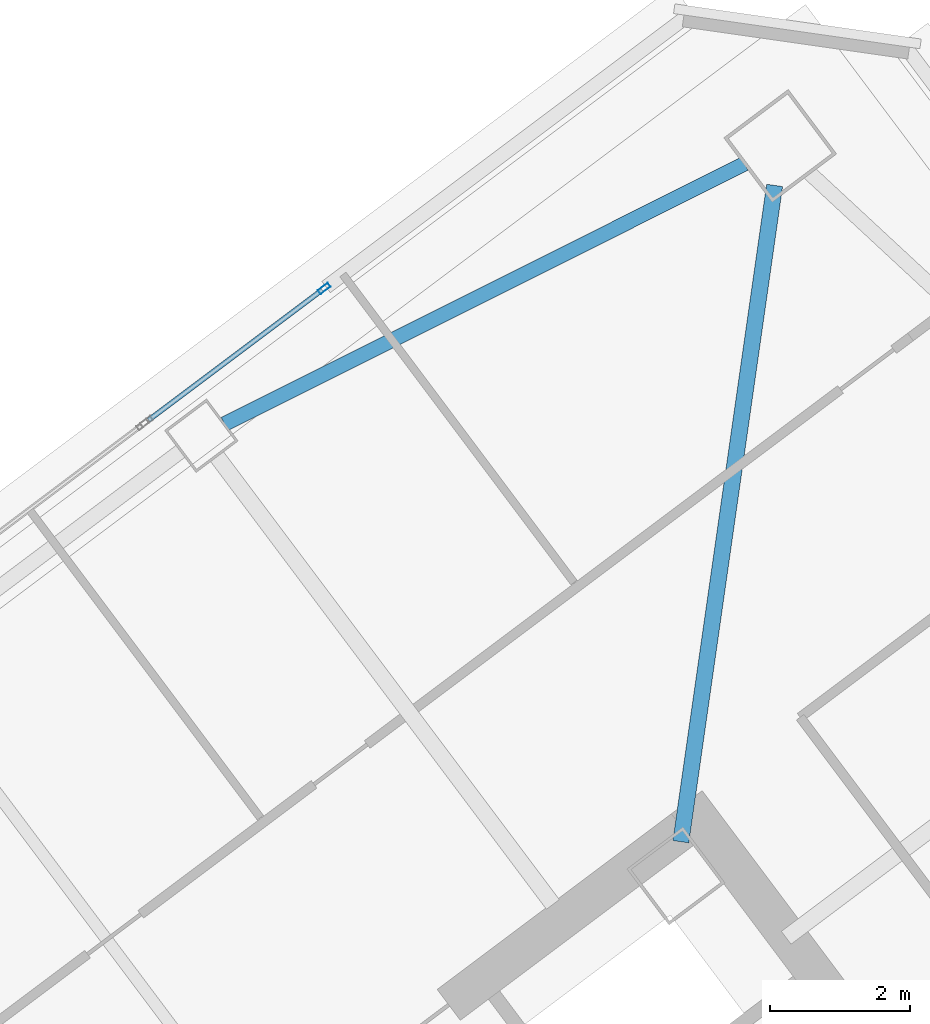
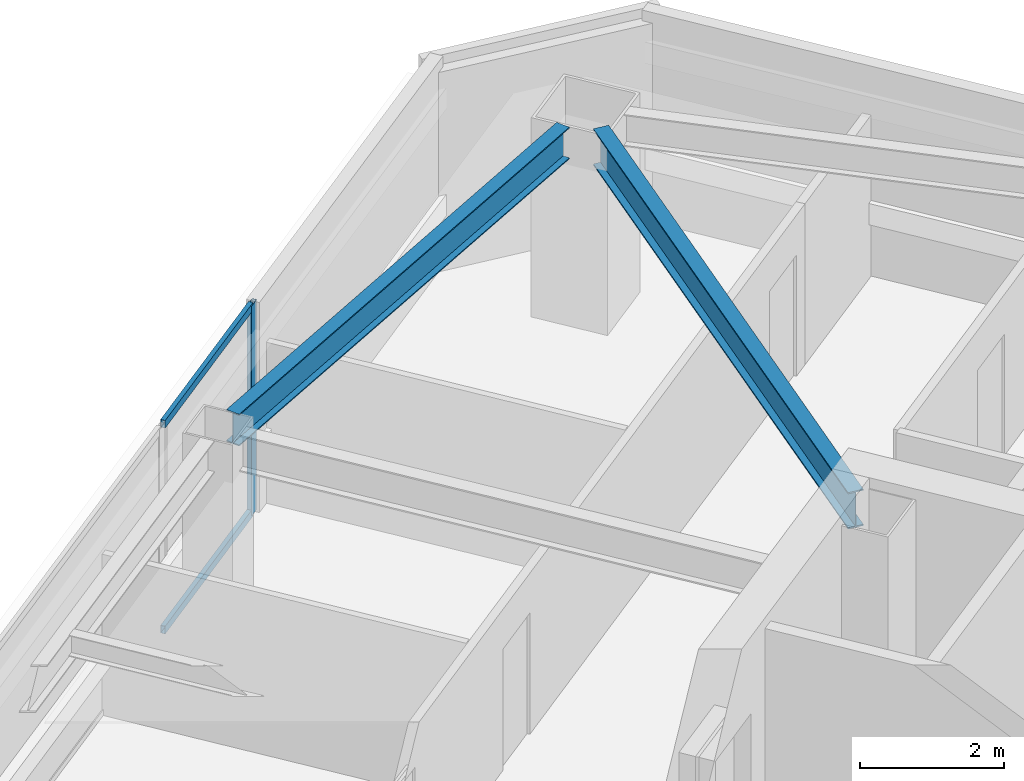
# One storey, part 28 of 42: 3 members, 2 beams, 1 element without a shape of its own.
"""IFC4 building model written with IfcOpenShell, lengths in metres."""

import ifcopenshell
import ifcopenshell.guid

model = None  # the IFC model being written
_history = None  # IfcOwnerHistory: only IFC2X3 demands one
_inside = {}  # id of a spatial element -> (the spatial element, [elements in it])
_under = {}  # id of a project, library or spatial element -> (it, [spatial elements below it])
_declared = {}  # id of a project -> (the project, [libraries it declares])
_typed = {}  # id of a type object -> (the type object, [elements of that type])
_made_of = {}  # id of a material, layer set ... -> (it, [elements and type objects made of it])


def new_model(schema):
    """Start an empty IFC model of exactly this schema.

    Asked for "IFC4X3", IfcOpenShell would pick the latest addendum, in which some entities
    have other attributes; the version numbers below select the first issue.
    IFC2X3 requires an IfcOwnerHistory on every rooted entity: one is made here for all.
    """
    global model, _history
    if schema == "IFC4X3":
        model = ifcopenshell.file(schema_version=(4, 3, 0, 0))
    else:
        model = ifcopenshell.file(schema=schema)
    _inside.clear()
    _under.clear()
    _declared.clear()
    _typed.clear()
    _made_of.clear()
    _history = None
    if model.schema == "IFC2X3":
        org = make("IfcOrganization", Name="unknown")
        user = make(
            "IfcPersonAndOrganization",
            ThePerson=make("IfcPerson", FamilyName="unknown"),
            TheOrganization=org,
        )
        app = make(
            "IfcApplication",
            ApplicationDeveloper=org,
            Version="unknown",
            ApplicationFullName="unknown",
            ApplicationIdentifier="unknown",
        )
        _history = make(
            "IfcOwnerHistory",
            OwningUser=user,
            OwningApplication=app,
            ChangeAction="ADDED",
            CreationDate=0,
        )
    return model


def make(cls, **values):
    """One entity of the class cls with the attributes given. An attribute that is None is left unset."""
    return model.create_entity(
        cls, **{name: value for name, value in values.items() if value is not None}
    )


def rooted(cls, **values):
    """An entity with a GlobalId (a new one), such as an element, a storey or a relation."""
    return make(cls, GlobalId=ifcopenshell.guid.new(), OwnerHistory=_history, **values)


def si_unit(unit_type, name, prefix=None):
    """IfcSIUnit, for example si_unit("LENGTHUNIT", "METRE", prefix="MILLI")."""
    return make("IfcSIUnit", UnitType=unit_type, Prefix=prefix, Name=name)


def assignment(units):
    """IfcUnitAssignment: the units of a project."""
    return None if units is None else make("IfcUnitAssignment", Units=units)


def point(xyz):
    """IfcCartesianPoint."""
    return None if xyz is None else make("IfcCartesianPoint", Coordinates=xyz)


def direction(xyz):
    """IfcDirection."""
    return None if xyz is None else make("IfcDirection", DirectionRatios=xyz)


def frame(location, z_axis=None, x_axis=None):
    """IfcAxis2Placement3D, a coordinate frame: its origin and axes. An axis left out is left unset."""
    return make(
        "IfcAxis2Placement3D",
        Location=point(location),
        Axis=direction(z_axis),
        RefDirection=direction(x_axis),
    )


def frame_2d(location, x_axis=None):
    """IfcAxis2Placement2D, a coordinate frame in the plane: its origin and x axis."""
    return make(
        "IfcAxis2Placement2D", Location=point(location), RefDirection=direction(x_axis)
    )


def origin():
    """The frame at (0, 0, 0) with its axes left unset."""
    return frame((0.0, 0.0, 0.0))


def origin_2d():
    """The frame at (0, 0) in the plane with its x axis left unset."""
    return frame_2d((0.0, 0.0))


def place(relative_to, where):
    """IfcLocalPlacement: puts the frame where relative to a parent placement (None: the world)."""
    return make(
        "IfcLocalPlacement", PlacementRelTo=relative_to, RelativePlacement=where
    )


def context(
    kind, dimensions, precision=None, world=None, true_north=None, identifier=None
):
    """IfcGeometricRepresentationContext, for example the 3D "Model" context."""
    return make(
        "IfcGeometricRepresentationContext",
        ContextIdentifier=identifier,
        ContextType=kind,
        CoordinateSpaceDimension=dimensions,
        Precision=precision,
        WorldCoordinateSystem=world,
        TrueNorth=true_north,
    )


def subcontext(parent, identifier, kind, view, scale=None):
    """IfcGeometricRepresentationSubContext, for example "Body" below "Model"."""
    return make(
        "IfcGeometricRepresentationSubContext",
        ContextIdentifier=identifier,
        ContextType=kind,
        ParentContext=parent,
        TargetScale=scale,
        TargetView=view,
    )


def project(units=None, contexts=None):
    """IfcProject with its units and contexts."""
    return rooted(
        "IfcProject",
        Name="project",
        RepresentationContexts=contexts,
        UnitsInContext=assignment(units),
    )


def spatial(cls, under=None, at=None, **own):
    """A site, building, storey or space (cls), placed at a placement, below another one or the project."""
    s = rooted(cls, ObjectPlacement=at, **own)
    if under is not None:
        _under.setdefault(under.id(), (under, []))[1].append(s)
    return s


def profile(cls, at=None, kind="AREA", **sizes):
    """A parametric profile (cls). Its sizes go by their IFC names, for example OverallWidth=200.0."""
    return make(cls, ProfileType=kind, Position=at, **sizes)


def hollow_rectangle(**sizes):
    """IfcRectangleHollowProfileDef."""
    return profile("IfcRectangleHollowProfileDef", **sizes)


def i_section(**sizes):
    """IfcIShapeProfileDef."""
    return profile("IfcIShapeProfileDef", **sizes)


def extrude(swept, where, along, depth):
    """IfcExtrudedAreaSolid: the profile swept, set in the frame where, extruded along a direction by depth."""
    return make(
        "IfcExtrudedAreaSolid",
        SweptArea=swept,
        Position=where,
        ExtrudedDirection=direction(along),
        Depth=depth,
    )


def shape(context_of_items, identifier, shape_type, items):
    """IfcShapeRepresentation: the items that make up one representation, for example the "Body"."""
    return make(
        "IfcShapeRepresentation",
        ContextOfItems=context_of_items,
        RepresentationIdentifier=identifier,
        RepresentationType=shape_type,
        Items=items,
    )


def material(Name=None, Category=None):
    """IfcMaterial."""
    return make("IfcMaterial", Name=Name, Category=Category)


def material_profile(
    of_material, cross_section, Name=None, Category=None, Priority=None
):
    """IfcMaterialProfile: a cross section and its material."""
    return make(
        "IfcMaterialProfile",
        Name=Name,
        Material=of_material,
        Profile=cross_section,
        Priority=Priority,
        Category=Category,
    )


def profile_set(profiles, Name=None, composite=None):
    """IfcMaterialProfileSet."""
    return make(
        "IfcMaterialProfileSet",
        Name=Name,
        MaterialProfiles=profiles,
        CompositeProfile=composite,
    )


def made_of(thing, what):
    """Note that an element or type object is made of a material, layer set ...; save() writes the relation."""
    if what is not None:
        _made_of.setdefault(what.id(), (what, []))[1].append(thing)
    return thing


def type_object(cls, material=None, **own):
    """A type object (cls), such as IfcWallType, which elements share."""
    return made_of(rooted(cls, **own), material)


def element(
    cls,
    number,
    at=None,
    inside=None,
    cuts=None,
    type_object=None,
    material=None,
    context=None,
    identifier="Body",
    shape_type=None,
    held_by="IfcProductDefinitionShape",
    body=None,
    shapes=None,
    **own,
):
    """One element of the class cls, such as IfcWall. Its Tag is "e" and its number.

    at: its placement. inside: the storey or other place that contains it. cuts: it is an
    opening in that element (IfcRelVoidsElement). A single representation is given by context,
    identifier, shape_type and body (its items); several are given by shapes. held_by: the class
    of the entity that holds the representations. save() writes the other relations.
    """
    e = rooted(cls, Tag="e%d" % number, ObjectPlacement=at, **own)
    if body is not None:
        shapes = [shape(context, identifier, shape_type, body)]
    if shapes is not None:
        e.Representation = make(held_by, Representations=shapes)
    if inside is not None:
        _inside.setdefault(inside.id(), (inside, []))[1].append(e)
    if cuts is not None:
        rooted(
            "IfcRelVoidsElement", RelatingBuildingElement=cuts, RelatedOpeningElement=e
        )
    if type_object is not None:
        _typed.setdefault(type_object.id(), (type_object, []))[1].append(e)
    return made_of(e, material)


def aggregate(whole, parts):
    """IfcRelAggregates: a whole, such as a stair, and the parts it consists of."""
    return rooted("IfcRelAggregates", RelatingObject=whole, RelatedObjects=parts)


def save(model, path):
    """Write the relations noted so far, then the file.

    IfcRelAggregates (storeys below a building ...), IfcRelContainedInSpatialStructure (elements
    in a storey), IfcRelDefinesByType, IfcRelAssociatesMaterial and IfcRelDeclares: one each for
    every whole, place, type object, material and project.
    """
    for whole, parts in _under.values():
        aggregate(whole, parts)
    for where, things in _inside.values():
        rooted(
            "IfcRelContainedInSpatialStructure",
            RelatedElements=things,
            RelatingStructure=where,
        )
    for kind, things in _typed.values():
        rooted("IfcRelDefinesByType", RelatedObjects=things, RelatingType=kind)
    for what, things in _made_of.values():
        rooted("IfcRelAssociatesMaterial", RelatedObjects=things, RelatingMaterial=what)
    for by, libraries in _declared.values():
        rooted("IfcRelDeclares", RelatingContext=by, RelatedDefinitions=libraries)
    model.write(path)


model = new_model("IFC4")

# Units and contexts
model_context = context("Model", 3, precision=1e-05, world=origin(), true_north=direction((0.0, 1.0)))
body_context = subcontext(model_context, "Body", "Model", "MODEL_VIEW")
ifc_project = project(units=[si_unit("LENGTHUNIT", "METRE"), si_unit("AREAUNIT", "SQUARE_METRE"), si_unit("VOLUMEUNIT", "CUBIC_METRE"), si_unit("PLANEANGLEUNIT", "RADIAN"), si_unit("MASSUNIT", "GRAM", prefix="KILO")], contexts=[model_context])

# Site, building, storey
site_placement = place(None, origin())
site = spatial("IfcSite", under=ifc_project, at=site_placement, CompositionType="ELEMENT")
building_placement = place(site_placement, origin())
building = spatial("IfcBuilding", under=site, at=building_placement, Name="Tashvorn Skyway Center", CompositionType="ELEMENT")
storey_placement = place(building_placement, frame((0.0, 0.0, 164.10009765625)))
storey = spatial("IfcBuildingStorey", under=building, at=storey_placement, Name="L44", CompositionType="ELEMENT", Elevation=164.10009765625)

# Beams
ifc_material_1 = material(Name="Steel ASTM A992 Grade 50", Category="steel")
ifc_material_profile_1 = material_profile(ifc_material_1, i_section(OverallWidth=0.22998046875, OverallDepth=0.616943359375, WebThickness=0.01318359375, FlangeThickness=0.022216796875, at=origin_2d()), Name="W24X94")
ifc_profile_set_1 = profile_set([ifc_material_profile_1], Name="Steel ASTM A992 Grade 50")
beam_type_1 = type_object("IfcBeamType", Name="BM-BEAM-W24X94", PredefinedType="BEAM", material=ifc_profile_set_1)
beam_1_placement = place(storey_placement, frame((116.8193359375, 51.73583984375, 3.0615234375), z_axis=(-0.141417747326, -0.989950009213, 0.0), x_axis=(0.989950009213, -0.141417747326, 0.0)))
element("IfcBeam", 1, at=beam_1_placement, inside=storey, type_object=beam_type_1, Name="Tower 2 L44 Primary Floor Girder MC-NE", PredefinedType="BEAM", context=body_context, shape_type="SweptSolid", body=[
    extrude(i_section(OverallWidth=0.22998046875, OverallDepth=0.616943359375, WebThickness=0.01318359375, FlangeThickness=0.022216796875, at=origin_2d()), origin(), (0.0, 0.0, 1.0), 9.470947265625),
])
ifc_material_profile_2 = material_profile(ifc_material_1, i_section(OverallWidth=0.2109375, OverallDepth=0.5390625, WebThickness=0.01171875, FlangeThickness=0.018798828125, at=origin_2d()), Name="W21X73")
ifc_profile_set_2 = profile_set([ifc_material_profile_2], Name="Steel ASTM A992 Grade 50")
beam_type_2 = type_object("IfcBeamType", Name="BM-SPANDREL-W21X73", PredefinedType="SPANDREL", material=ifc_profile_set_2)
beam_2_placement = place(storey_placement, frame((116.390380859375, 52.044921875, 3.100341796875), z_axis=(-0.894209637559, -0.447648438059, 0.0), x_axis=(0.447648438059, -0.894209637559, 0.0)))
element("IfcBeam", 2, at=beam_2_placement, inside=storey, type_object=beam_type_2, Name="Tower 2 L44 Spandrel Beam 07", PredefinedType="SPANDREL", context=body_context, shape_type="SweptSolid", body=[
    extrude(i_section(OverallWidth=0.2109375, OverallDepth=0.5390625, WebThickness=0.01171875, FlangeThickness=0.018798828125, at=origin_2d()), origin(), (0.0, 0.0, 1.0), 8.308349609375),
])

# Curtain wall, members
ifc_material_2 = material(Name="Thermally broken bronze-anodized aluminium 6063-T6", Category="aluminium")
curtain_wall_type = type_object("IfcCurtainWallType", Name="CW-CW-Z4", PredefinedType="NOTDEFINED", material=ifc_material_2)
curtain_wall_placement = place(storey_placement, origin())
curtain_wall = element("IfcCurtainWall", 3, at=curtain_wall_placement, inside=storey, type_object=curtain_wall_type, Name="Tower 2 L44 North Unitised Curtain Wall Glazing Group 3", PredefinedType="NOTDEFINED")
ifc_material_profile_3 = material_profile(ifc_material_2, hollow_rectangle(XDim=0.070068359375, YDim=0.179931640625, WallThickness=0.00390625, at=origin_2d()), Name="ALU-MULL-70x180")
ifc_profile_set_3 = profile_set([ifc_material_profile_3], Name="Thermally broken bronze-anodized aluminium 6063-T6")
member_type_1 = type_object("IfcMemberType", Name="CWM-CW-Z4", PredefinedType="MULLION", material=ifc_profile_set_3)
member_1_placement = place(storey_placement, frame((110.384033203125, 50.262939453125, 0.0), z_axis=(0.0, 0.0, 1.0), x_axis=(-0.600000000002, 0.799999999998, 0.0)))
member_1 = element("IfcMember", 4, at=member_1_placement, type_object=member_type_1, Name="CW-Z4 mullion 2", PredefinedType="MULLION", context=body_context, shape_type="SweptSolid", body=[
    extrude(hollow_rectangle(XDim=0.070068359375, YDim=0.179931640625, WallThickness=0.00390625, at=origin_2d()), origin(), (0.0, 0.0, 1.0), 3.5498046875),
])
ifc_material_profile_4 = material_profile(ifc_material_2, hollow_rectangle(XDim=0.070068359375, YDim=0.1298828125, WallThickness=0.00390625, at=origin_2d()), Name="ALU-TRAN-70x130")
ifc_profile_set_4 = profile_set([ifc_material_profile_4], Name="Thermally broken bronze-anodized aluminium 6063-T6")
member_type_2 = type_object("IfcMemberType", Name="CWT-CW-Z4", PredefinedType="USERDEFINED", material=ifc_profile_set_4)
member_2_placement = place(storey_placement, frame((107.8759765625, 48.382080078125, 0.034912109375), z_axis=(0.800018901408, 0.599974797295, 0.0), x_axis=(-0.599974797295, 0.800018901408, 0.0)))
member_2 = element("IfcMember", 5, at=member_2_placement, type_object=member_type_2, Name="CW-Z4 transom 1.1", ObjectType="TRANSOM", PredefinedType="USERDEFINED", context=body_context, shape_type="SweptSolid", body=[
    extrude(hollow_rectangle(XDim=0.070068359375, YDim=0.1298828125, WallThickness=0.00390625, at=origin_2d()), origin(), (0.0, 0.0, 1.0), 3.099853515625),
])
member_3_placement = place(storey_placement, frame((107.8759765625, 48.382080078125, 3.514892578125), z_axis=(0.800018901408, 0.599974797295, 0.0), x_axis=(-0.599974797295, 0.800018901408, 0.0)))
member_3 = element("IfcMember", 6, at=member_3_placement, type_object=member_type_2, Name="CW-Z4 transom 1.2", ObjectType="TRANSOM", PredefinedType="USERDEFINED", context=body_context, shape_type="SweptSolid", body=[
    extrude(hollow_rectangle(XDim=0.070068359375, YDim=0.1298828125, WallThickness=0.00390625, at=origin_2d()), origin(), (0.0, 0.0, 1.0), 3.099853515625),
])
aggregate(curtain_wall, [member_1, member_2, member_3])

save(model, "model.ifc")
